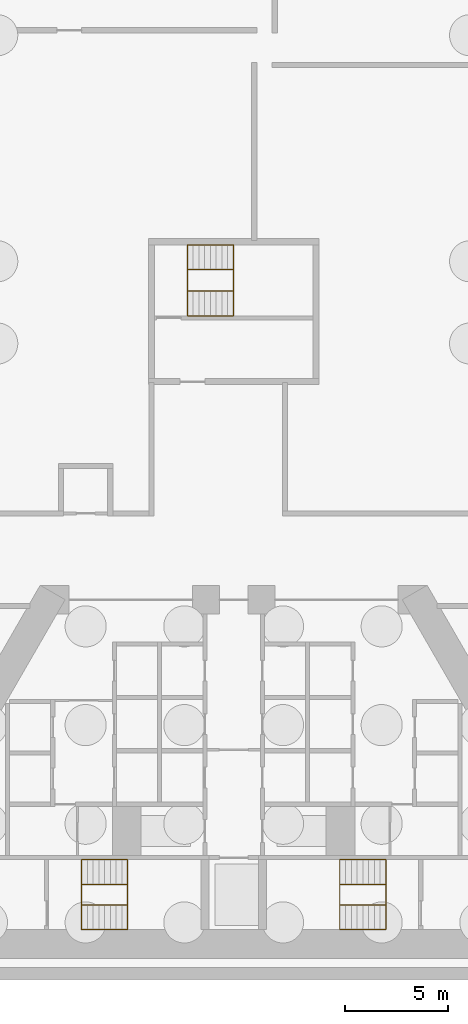
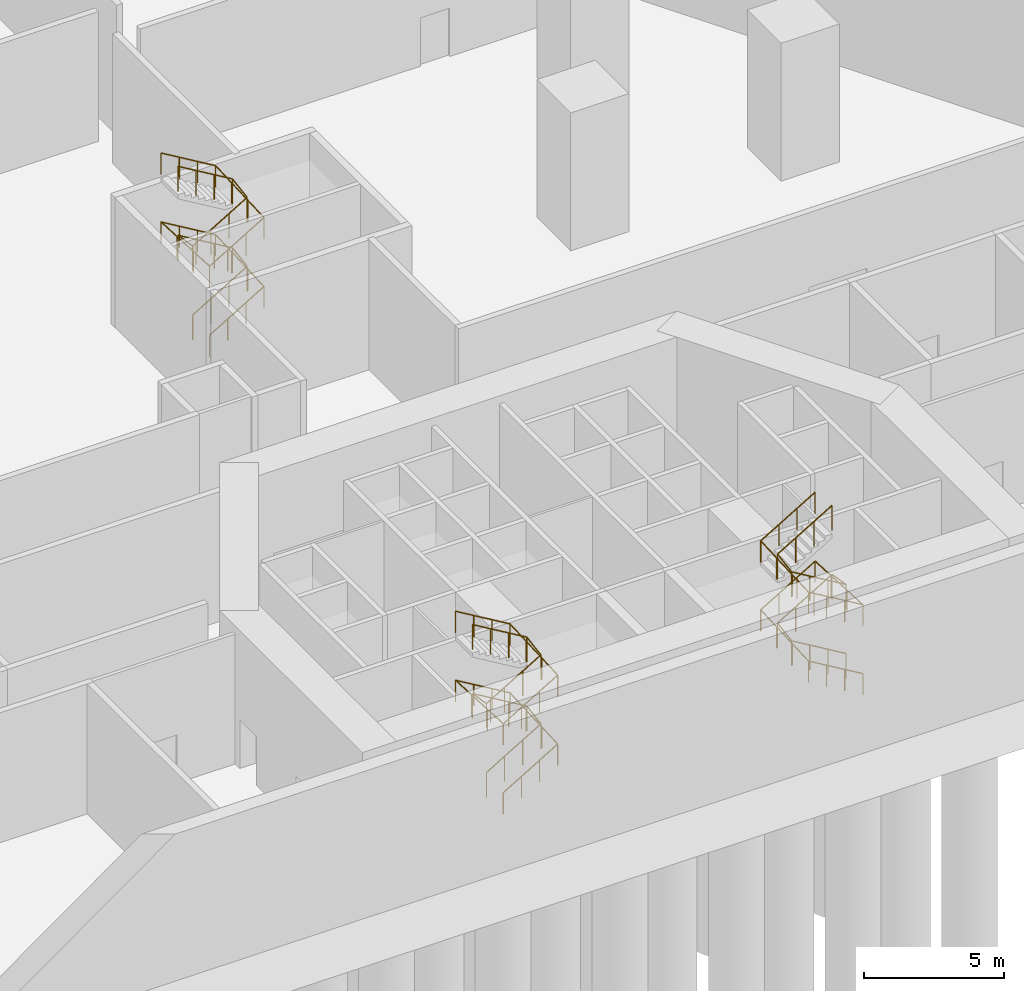
# One storey, part 7 of 8: 6 railings.
"""IFC4 building model written with IfcOpenShell, lengths in metres."""

from ifc_helpers import new_model, si_unit, direction, frame, origin, origin_2d, place, context, subcontext, project, spatial, circle, extrude, material, type_object, element, save


model = new_model("IFC4")

# Units and contexts
model_context = context("Model", 3, precision=1e-05, world=origin(), true_north=direction((0.0, 1.0)))
body_context = subcontext(model_context, "Body", "Model", "MODEL_VIEW")
ifc_project = project(units=[si_unit("LENGTHUNIT", "METRE"), si_unit("AREAUNIT", "SQUARE_METRE"), si_unit("VOLUMEUNIT", "CUBIC_METRE"), si_unit("PLANEANGLEUNIT", "RADIAN"), si_unit("MASSUNIT", "GRAM", prefix="KILO")], contexts=[model_context])

# Site, building, storey
site_placement = place(None, origin())
site = spatial("IfcSite", under=ifc_project, at=site_placement, CompositionType="ELEMENT")
building_placement = place(site_placement, origin())
building = spatial("IfcBuilding", under=site, at=building_placement, Name="Fogline Exchange Tower", CompositionType="ELEMENT")
storey_placement = place(building_placement, frame((0.0, 0.0, -14.0)))
storey = spatial("IfcBuildingStorey", under=building, at=storey_placement, Name="B2", CompositionType="ELEMENT", Elevation=-14.0)

# Railings
ifc_material = material(Name="Steel Q235B", Category="steel")
railing_type_1 = type_object("IfcRailingType", Name="RL-GD", PredefinedType="GUARDRAIL", material=ifc_material)
railing_1_placement = place(storey_placement, frame((-7.39990234375, 3.449951171875, 0.166748046875)))
element("IfcRailing", 1, at=railing_1_placement, inside=storey, type_object=railing_type_1, Name="Guard ST1", PredefinedType="GUARDRAIL", context=body_context, shape_type="SweptSolid", body=[
    extrude(circle(Radius=0.02392578125, at=origin_2d()), frame((0.0, 0.0, 1.076171875), z_axis=(0.859305625298, 0.0, 0.511462454469), x_axis=(0.0, 1.0, 0.0)), (0.0, 0.0, 1.0), 2.606689453125),
    extrude(circle(Radius=0.02392578125, at=origin_2d()), frame((2.239990234375, 0.0, 2.4091796875), z_axis=(0.0, 0.986380903678, 0.164477089163), x_axis=(-1.0, 0.0, 0.0)), (0.0, 0.0, 1.0), 1.013916015625),
    extrude(circle(Radius=0.02392578125, at=origin_2d()), frame((2.239990234375, 1.0, 2.576171875), z_axis=(-0.859305625298, 0.0, 0.511462454469), x_axis=(0.0, -1.0, 0.0)), (0.0, 0.0, 1.0), 2.606689453125),
    extrude(circle(Radius=0.02392578125, at=origin_2d()), frame((0.0, 1.0, 3.9091796875), z_axis=(0.0, -0.986380903678, 0.164477089163), x_axis=(1.0, 0.0, 0.0)), (0.0, 0.0, 1.0), 1.013916015625),
    extrude(circle(Radius=0.02392578125, at=origin_2d()), frame((0.0, 0.0, 4.076171875), z_axis=(0.859305625298, 0.0, 0.511462454469), x_axis=(0.0, 1.0, 0.0)), (0.0, 0.0, 1.0), 2.606689453125),
    extrude(circle(Radius=0.02392578125, at=origin_2d()), frame((2.239990234375, 0.0, 5.4091796875), z_axis=(0.0, 0.986380903678, 0.164477089163), x_axis=(-1.0, 0.0, 0.0)), (0.0, 0.0, 1.0), 1.013916015625),
    extrude(circle(Radius=0.02392578125, at=origin_2d()), frame((2.239990234375, 1.0, 5.576171875), z_axis=(-0.859305625298, 0.0, 0.511462454469), x_axis=(0.0, -1.0, 0.0)), (0.0, 0.0, 1.0), 2.606689453125),
    extrude(circle(Radius=0.02099609375, at=origin_2d()), origin(), (0.0, 0.0, 1.0), 1.052001953125),
    extrude(circle(Radius=0.02099609375, at=origin_2d()), frame((0.74658203125, 0.0, 0.4443359375)), (0.0, 0.0, 1.0), 1.052001953125),
    extrude(circle(Radius=0.02099609375, at=origin_2d()), frame((1.493408203125, 0.0, 0.888916015625)), (0.0, 0.0, 1.0), 1.052001953125),
    extrude(circle(Radius=0.02099609375, at=origin_2d()), frame((2.239990234375, 0.0, 1.333251953125)), (0.0, 0.0, 1.0), 1.052001953125),
    extrude(circle(Radius=0.02099609375, at=origin_2d()), frame((2.239990234375, 1.0, 1.5)), (0.0, 0.0, 1.0), 1.052001953125),
    extrude(circle(Radius=0.02099609375, at=origin_2d()), frame((1.493408203125, 1.0, 1.9443359375)), (0.0, 0.0, 1.0), 1.052001953125),
    extrude(circle(Radius=0.02099609375, at=origin_2d()), frame((0.74658203125, 1.0, 2.388916015625)), (0.0, 0.0, 1.0), 1.052001953125),
    extrude(circle(Radius=0.02099609375, at=origin_2d()), frame((0.0, 1.0, 2.833251953125)), (0.0, 0.0, 1.0), 1.052001953125),
    extrude(circle(Radius=0.02099609375, at=origin_2d()), frame((0.0, 0.0, 3.0)), (0.0, 0.0, 1.0), 1.052001953125),
    extrude(circle(Radius=0.02099609375, at=origin_2d()), frame((0.74658203125, 0.0, 3.4443359375)), (0.0, 0.0, 1.0), 1.052001953125),
    extrude(circle(Radius=0.02099609375, at=origin_2d()), frame((1.493408203125, 0.0, 3.888916015625)), (0.0, 0.0, 1.0), 1.052001953125),
    extrude(circle(Radius=0.02099609375, at=origin_2d()), frame((2.239990234375, 0.0, 4.333251953125)), (0.0, 0.0, 1.0), 1.052001953125),
    extrude(circle(Radius=0.02099609375, at=origin_2d()), frame((2.239990234375, 1.0, 4.5)), (0.0, 0.0, 1.0), 1.052001953125),
    extrude(circle(Radius=0.02099609375, at=origin_2d()), frame((1.493408203125, 1.0, 4.9443359375)), (0.0, 0.0, 1.0), 1.052001953125),
    extrude(circle(Radius=0.02099609375, at=origin_2d()), frame((0.74658203125, 1.0, 5.388916015625)), (0.0, 0.0, 1.0), 1.052001953125),
    extrude(circle(Radius=0.02099609375, at=origin_2d()), frame((0.0, 1.0, 5.833251953125)), (0.0, 0.0, 1.0), 1.052001953125),
])
railing_2_placement = place(storey_placement, frame((7.39990234375, 3.449951171875, 0.166748046875)))
element("IfcRailing", 2, at=railing_2_placement, inside=storey, type_object=railing_type_1, Name="Guard ST2", PredefinedType="GUARDRAIL", context=body_context, shape_type="SweptSolid", body=[
    extrude(circle(Radius=0.02392578125, at=origin_2d()), frame((0.0, 0.0, 1.076171875), z_axis=(-0.859305625298, 0.0, 0.511462454469), x_axis=(0.0, -1.0, 0.0)), (0.0, 0.0, 1.0), 2.606689453125),
    extrude(circle(Radius=0.02392578125, at=origin_2d()), frame((-2.239990234375, 0.0, 2.4091796875), z_axis=(0.0, 0.986380903678, 0.164477089163), x_axis=(-1.0, 0.0, 0.0)), (0.0, 0.0, 1.0), 1.013916015625),
    extrude(circle(Radius=0.02392578125, at=origin_2d()), frame((-2.239990234375, 1.0, 2.576171875), z_axis=(0.859305625298, 0.0, 0.511462454469), x_axis=(0.0, 1.0, 0.0)), (0.0, 0.0, 1.0), 2.606689453125),
    extrude(circle(Radius=0.02392578125, at=origin_2d()), frame((0.0, 1.0, 3.9091796875), z_axis=(0.0, -0.986380903678, 0.164477089163), x_axis=(1.0, 0.0, 0.0)), (0.0, 0.0, 1.0), 1.013916015625),
    extrude(circle(Radius=0.02392578125, at=origin_2d()), frame((0.0, 0.0, 4.076171875), z_axis=(-0.859305625298, 0.0, 0.511462454469), x_axis=(0.0, -1.0, 0.0)), (0.0, 0.0, 1.0), 2.606689453125),
    extrude(circle(Radius=0.02392578125, at=origin_2d()), frame((-2.239990234375, 0.0, 5.4091796875), z_axis=(0.0, 0.986380903678, 0.164477089163), x_axis=(-1.0, 0.0, 0.0)), (0.0, 0.0, 1.0), 1.013916015625),
    extrude(circle(Radius=0.02392578125, at=origin_2d()), frame((-2.239990234375, 1.0, 5.576171875), z_axis=(0.859305625298, 0.0, 0.511462454469), x_axis=(0.0, 1.0, 0.0)), (0.0, 0.0, 1.0), 2.606689453125),
    extrude(circle(Radius=0.02099609375, at=origin_2d()), origin(), (0.0, 0.0, 1.0), 1.052001953125),
    extrude(circle(Radius=0.02099609375, at=origin_2d()), frame((-0.74658203125, 0.0, 0.4443359375)), (0.0, 0.0, 1.0), 1.052001953125),
    extrude(circle(Radius=0.02099609375, at=origin_2d()), frame((-1.493408203125, 0.0, 0.888916015625)), (0.0, 0.0, 1.0), 1.052001953125),
    extrude(circle(Radius=0.02099609375, at=origin_2d()), frame((-2.239990234375, 0.0, 1.333251953125)), (0.0, 0.0, 1.0), 1.052001953125),
    extrude(circle(Radius=0.02099609375, at=origin_2d()), frame((-2.239990234375, 1.0, 1.5)), (0.0, 0.0, 1.0), 1.052001953125),
    extrude(circle(Radius=0.02099609375, at=origin_2d()), frame((-1.493408203125, 1.0, 1.9443359375)), (0.0, 0.0, 1.0), 1.052001953125),
    extrude(circle(Radius=0.02099609375, at=origin_2d()), frame((-0.74658203125, 1.0, 2.388916015625)), (0.0, 0.0, 1.0), 1.052001953125),
    extrude(circle(Radius=0.02099609375, at=origin_2d()), frame((0.0, 1.0, 2.833251953125)), (0.0, 0.0, 1.0), 1.052001953125),
    extrude(circle(Radius=0.02099609375, at=origin_2d()), frame((0.0, 0.0, 3.0)), (0.0, 0.0, 1.0), 1.052001953125),
    extrude(circle(Radius=0.02099609375, at=origin_2d()), frame((-0.74658203125, 0.0, 3.4443359375)), (0.0, 0.0, 1.0), 1.052001953125),
    extrude(circle(Radius=0.02099609375, at=origin_2d()), frame((-1.493408203125, 0.0, 3.888916015625)), (0.0, 0.0, 1.0), 1.052001953125),
    extrude(circle(Radius=0.02099609375, at=origin_2d()), frame((-2.239990234375, 0.0, 4.333251953125)), (0.0, 0.0, 1.0), 1.052001953125),
    extrude(circle(Radius=0.02099609375, at=origin_2d()), frame((-2.239990234375, 1.0, 4.5)), (0.0, 0.0, 1.0), 1.052001953125),
    extrude(circle(Radius=0.02099609375, at=origin_2d()), frame((-1.493408203125, 1.0, 4.9443359375)), (0.0, 0.0, 1.0), 1.052001953125),
    extrude(circle(Radius=0.02099609375, at=origin_2d()), frame((-0.74658203125, 1.0, 5.388916015625)), (0.0, 0.0, 1.0), 1.052001953125),
    extrude(circle(Radius=0.02099609375, at=origin_2d()), frame((0.0, 1.0, 5.833251953125)), (0.0, 0.0, 1.0), 1.052001953125),
])
railing_3_placement = place(storey_placement, frame((-2.25, 33.306884765625, 0.166748046875)))
element("IfcRailing", 3, at=railing_3_placement, inside=storey, type_object=railing_type_1, Name="Guard ST3", PredefinedType="GUARDRAIL", context=body_context, shape_type="SweptSolid", body=[
    extrude(circle(Radius=0.02392578125, at=origin_2d()), frame((0.0, 0.0, 1.076171875), z_axis=(0.859305625298, 0.0, 0.511462454469), x_axis=(0.0, 1.0, 0.0)), (0.0, 0.0, 1.0), 2.606689453125),
    extrude(circle(Radius=0.02392578125, at=origin_2d()), frame((2.239990234375, 0.0, 2.4091796875), z_axis=(0.0, 0.987624803842, 0.156835094402), x_axis=(-1.0, 0.0, 0.0)), (0.0, 0.0, 1.0), 1.063232421875),
    extrude(circle(Radius=0.02392578125, at=origin_2d()), frame((2.239990234375, 1.050048828125, 2.576171875), z_axis=(-0.859305625298, 0.0, 0.511462454469), x_axis=(0.0, -1.0, 0.0)), (0.0, 0.0, 1.0), 2.606689453125),
    extrude(circle(Radius=0.02392578125, at=origin_2d()), frame((0.0, 1.050048828125, 3.9091796875), z_axis=(0.0, -0.987624803842, 0.156835094402), x_axis=(1.0, 0.0, 0.0)), (0.0, 0.0, 1.0), 1.063232421875),
    extrude(circle(Radius=0.02392578125, at=origin_2d()), frame((0.0, 0.0, 4.076171875), z_axis=(0.859305625298, 0.0, 0.511462454469), x_axis=(0.0, 1.0, 0.0)), (0.0, 0.0, 1.0), 2.606689453125),
    extrude(circle(Radius=0.02392578125, at=origin_2d()), frame((2.239990234375, 0.0, 5.4091796875), z_axis=(0.0, 0.987624803842, 0.156835094402), x_axis=(-1.0, 0.0, 0.0)), (0.0, 0.0, 1.0), 1.063232421875),
    extrude(circle(Radius=0.02392578125, at=origin_2d()), frame((2.239990234375, 1.050048828125, 5.576171875), z_axis=(-0.859305625298, 0.0, 0.511462454469), x_axis=(0.0, -1.0, 0.0)), (0.0, 0.0, 1.0), 2.606689453125),
    extrude(circle(Radius=0.02099609375, at=origin_2d()), origin(), (0.0, 0.0, 1.0), 1.052001953125),
    extrude(circle(Radius=0.02099609375, at=origin_2d()), frame((0.74658203125, 0.0, 0.4443359375)), (0.0, 0.0, 1.0), 1.052001953125),
    extrude(circle(Radius=0.02099609375, at=origin_2d()), frame((1.493408203125, 0.0, 0.888916015625)), (0.0, 0.0, 1.0), 1.052001953125),
    extrude(circle(Radius=0.02099609375, at=origin_2d()), frame((2.239990234375, 0.0, 1.333251953125)), (0.0, 0.0, 1.0), 1.052001953125),
    extrude(circle(Radius=0.02099609375, at=origin_2d()), frame((2.239990234375, 1.050048828125, 1.5)), (0.0, 0.0, 1.0), 1.052001953125),
    extrude(circle(Radius=0.02099609375, at=origin_2d()), frame((1.493408203125, 1.050048828125, 1.9443359375)), (0.0, 0.0, 1.0), 1.052001953125),
    extrude(circle(Radius=0.02099609375, at=origin_2d()), frame((0.74658203125, 1.050048828125, 2.388916015625)), (0.0, 0.0, 1.0), 1.052001953125),
    extrude(circle(Radius=0.02099609375, at=origin_2d()), frame((0.0, 1.050048828125, 2.833251953125)), (0.0, 0.0, 1.0), 1.052001953125),
    extrude(circle(Radius=0.02099609375, at=origin_2d()), frame((0.0, 0.0, 3.0)), (0.0, 0.0, 1.0), 1.052001953125),
    extrude(circle(Radius=0.02099609375, at=origin_2d()), frame((0.74658203125, 0.0, 3.4443359375)), (0.0, 0.0, 1.0), 1.052001953125),
    extrude(circle(Radius=0.02099609375, at=origin_2d()), frame((1.493408203125, 0.0, 3.888916015625)), (0.0, 0.0, 1.0), 1.052001953125),
    extrude(circle(Radius=0.02099609375, at=origin_2d()), frame((2.239990234375, 0.0, 4.333251953125)), (0.0, 0.0, 1.0), 1.052001953125),
    extrude(circle(Radius=0.02099609375, at=origin_2d()), frame((2.239990234375, 1.050048828125, 4.5)), (0.0, 0.0, 1.0), 1.052001953125),
    extrude(circle(Radius=0.02099609375, at=origin_2d()), frame((1.493408203125, 1.050048828125, 4.9443359375)), (0.0, 0.0, 1.0), 1.052001953125),
    extrude(circle(Radius=0.02099609375, at=origin_2d()), frame((0.74658203125, 1.050048828125, 5.388916015625)), (0.0, 0.0, 1.0), 1.052001953125),
    extrude(circle(Radius=0.02099609375, at=origin_2d()), frame((0.0, 1.050048828125, 5.833251953125)), (0.0, 0.0, 1.0), 1.052001953125),
])
railing_type_2 = type_object("IfcRailingType", Name="RL-HR", PredefinedType="HANDRAIL", material=ifc_material)
railing_4_placement = place(storey_placement, frame((-7.39990234375, 2.25, 0.166748046875)))
element("IfcRailing", 4, at=railing_4_placement, inside=storey, type_object=railing_type_2, Name="Handrail ST1", PredefinedType="HANDRAIL", context=body_context, shape_type="SweptSolid", body=[
    extrude(circle(Radius=0.02392578125, at=origin_2d()), frame((0.0, 0.0, 0.92578125), z_axis=(0.859305625298, 0.0, 0.511462454469), x_axis=(0.0, 1.0, 0.0)), (0.0, 0.0, 1.0), 2.606689453125),
    extrude(circle(Radius=0.02392578125, at=origin_2d()), frame((2.239990234375, 0.0, 2.25927734375), z_axis=(0.0, 0.998799461751, 0.048986071548), x_axis=(-1.0, 0.0, 0.0)), (0.0, 0.0, 1.0), 3.404052734375),
    extrude(circle(Radius=0.02392578125, at=origin_2d()), frame((2.239990234375, 3.39990234375, 2.42578125), z_axis=(-0.859305625298, 0.0, 0.511462454469), x_axis=(0.0, -1.0, 0.0)), (0.0, 0.0, 1.0), 2.606689453125),
    extrude(circle(Radius=0.02392578125, at=origin_2d()), frame((0.0, 3.39990234375, 3.75927734375), z_axis=(0.0, -0.998799461751, 0.048986071548), x_axis=(1.0, 0.0, 0.0)), (0.0, 0.0, 1.0), 3.404052734375),
    extrude(circle(Radius=0.02392578125, at=origin_2d()), frame((0.0, 0.0, 3.92578125), z_axis=(0.859305625298, 0.0, 0.511462454469), x_axis=(0.0, 1.0, 0.0)), (0.0, 0.0, 1.0), 2.606689453125),
    extrude(circle(Radius=0.02392578125, at=origin_2d()), frame((2.239990234375, 0.0, 5.25927734375), z_axis=(0.0, 0.998799461751, 0.048986071548), x_axis=(-1.0, 0.0, 0.0)), (0.0, 0.0, 1.0), 3.404052734375),
    extrude(circle(Radius=0.02392578125, at=origin_2d()), frame((2.239990234375, 3.39990234375, 5.42578125), z_axis=(-0.859305625298, 0.0, 0.511462454469), x_axis=(0.0, -1.0, 0.0)), (0.0, 0.0, 1.0), 2.606689453125),
    extrude(circle(Radius=0.02099609375, at=origin_2d()), origin(), (0.0, 0.0, 1.0), 0.90185546875),
    extrude(circle(Radius=0.02099609375, at=origin_2d()), frame((0.74658203125, 0.0, 0.4443359375)), (0.0, 0.0, 1.0), 0.90185546875),
    extrude(circle(Radius=0.02099609375, at=origin_2d()), frame((1.493408203125, 0.0, 0.888916015625)), (0.0, 0.0, 1.0), 0.90185546875),
    extrude(circle(Radius=0.02099609375, at=origin_2d()), frame((2.239990234375, 0.0, 1.333251953125)), (0.0, 0.0, 1.0), 0.90185546875),
    extrude(circle(Radius=0.02099609375, at=origin_2d()), frame((2.239990234375, 1.13330078125, 1.388916015625)), (0.0, 0.0, 1.0), 0.90185546875),
    extrude(circle(Radius=0.02099609375, at=origin_2d()), frame((2.239990234375, 2.2666015625, 1.4443359375)), (0.0, 0.0, 1.0), 0.90185546875),
    extrude(circle(Radius=0.02099609375, at=origin_2d()), frame((2.239990234375, 3.39990234375, 1.5)), (0.0, 0.0, 1.0), 0.90185546875),
    extrude(circle(Radius=0.02099609375, at=origin_2d()), frame((1.493408203125, 3.39990234375, 1.9443359375)), (0.0, 0.0, 1.0), 0.90185546875),
    extrude(circle(Radius=0.02099609375, at=origin_2d()), frame((0.74658203125, 3.39990234375, 2.388916015625)), (0.0, 0.0, 1.0), 0.90185546875),
    extrude(circle(Radius=0.02099609375, at=origin_2d()), frame((0.0, 3.39990234375, 2.833251953125)), (0.0, 0.0, 1.0), 0.90185546875),
    extrude(circle(Radius=0.02099609375, at=origin_2d()), frame((0.0, 2.2666015625, 2.888916015625)), (0.0, 0.0, 1.0), 0.90185546875),
    extrude(circle(Radius=0.02099609375, at=origin_2d()), frame((0.0, 1.13330078125, 2.9443359375)), (0.0, 0.0, 1.0), 0.90185546875),
    extrude(circle(Radius=0.02099609375, at=origin_2d()), frame((0.0, 0.0, 3.0)), (0.0, 0.0, 1.0), 0.90185546875),
    extrude(circle(Radius=0.02099609375, at=origin_2d()), frame((0.74658203125, 0.0, 3.4443359375)), (0.0, 0.0, 1.0), 0.90185546875),
    extrude(circle(Radius=0.02099609375, at=origin_2d()), frame((1.493408203125, 0.0, 3.888916015625)), (0.0, 0.0, 1.0), 0.90185546875),
    extrude(circle(Radius=0.02099609375, at=origin_2d()), frame((2.239990234375, 0.0, 4.333251953125)), (0.0, 0.0, 1.0), 0.90185546875),
    extrude(circle(Radius=0.02099609375, at=origin_2d()), frame((2.239990234375, 1.13330078125, 4.388916015625)), (0.0, 0.0, 1.0), 0.90185546875),
    extrude(circle(Radius=0.02099609375, at=origin_2d()), frame((2.239990234375, 2.2666015625, 4.4443359375)), (0.0, 0.0, 1.0), 0.90185546875),
    extrude(circle(Radius=0.02099609375, at=origin_2d()), frame((2.239990234375, 3.39990234375, 4.5)), (0.0, 0.0, 1.0), 0.90185546875),
    extrude(circle(Radius=0.02099609375, at=origin_2d()), frame((1.493408203125, 3.39990234375, 4.9443359375)), (0.0, 0.0, 1.0), 0.90185546875),
    extrude(circle(Radius=0.02099609375, at=origin_2d()), frame((0.74658203125, 3.39990234375, 5.388916015625)), (0.0, 0.0, 1.0), 0.90185546875),
    extrude(circle(Radius=0.02099609375, at=origin_2d()), frame((0.0, 3.39990234375, 5.833251953125)), (0.0, 0.0, 1.0), 0.90185546875),
])
railing_5_placement = place(storey_placement, frame((7.39990234375, 2.25, 0.166748046875)))
element("IfcRailing", 5, at=railing_5_placement, inside=storey, type_object=railing_type_2, Name="Handrail ST2", PredefinedType="HANDRAIL", context=body_context, shape_type="SweptSolid", body=[
    extrude(circle(Radius=0.02392578125, at=origin_2d()), frame((0.0, 0.0, 0.92578125), z_axis=(-0.859305625298, 0.0, 0.511462454469), x_axis=(0.0, -1.0, 0.0)), (0.0, 0.0, 1.0), 2.606689453125),
    extrude(circle(Radius=0.02392578125, at=origin_2d()), frame((-2.239990234375, 0.0, 2.25927734375), z_axis=(0.0, 0.998799461751, 0.048986071548), x_axis=(-1.0, 0.0, 0.0)), (0.0, 0.0, 1.0), 3.404052734375),
    extrude(circle(Radius=0.02392578125, at=origin_2d()), frame((-2.239990234375, 3.39990234375, 2.42578125), z_axis=(0.859305625298, 0.0, 0.511462454469), x_axis=(0.0, 1.0, 0.0)), (0.0, 0.0, 1.0), 2.606689453125),
    extrude(circle(Radius=0.02392578125, at=origin_2d()), frame((0.0, 3.39990234375, 3.75927734375), z_axis=(0.0, -0.998799461751, 0.048986071548), x_axis=(1.0, 0.0, 0.0)), (0.0, 0.0, 1.0), 3.404052734375),
    extrude(circle(Radius=0.02392578125, at=origin_2d()), frame((0.0, 0.0, 3.92578125), z_axis=(-0.859305625298, 0.0, 0.511462454469), x_axis=(0.0, -1.0, 0.0)), (0.0, 0.0, 1.0), 2.606689453125),
    extrude(circle(Radius=0.02392578125, at=origin_2d()), frame((-2.239990234375, 0.0, 5.25927734375), z_axis=(0.0, 0.998799461751, 0.048986071548), x_axis=(-1.0, 0.0, 0.0)), (0.0, 0.0, 1.0), 3.404052734375),
    extrude(circle(Radius=0.02392578125, at=origin_2d()), frame((-2.239990234375, 3.39990234375, 5.42578125), z_axis=(0.859305625298, 0.0, 0.511462454469), x_axis=(0.0, 1.0, 0.0)), (0.0, 0.0, 1.0), 2.606689453125),
    extrude(circle(Radius=0.02099609375, at=origin_2d()), origin(), (0.0, 0.0, 1.0), 0.90185546875),
    extrude(circle(Radius=0.02099609375, at=origin_2d()), frame((-0.74658203125, 0.0, 0.4443359375)), (0.0, 0.0, 1.0), 0.90185546875),
    extrude(circle(Radius=0.02099609375, at=origin_2d()), frame((-1.493408203125, 0.0, 0.888916015625)), (0.0, 0.0, 1.0), 0.90185546875),
    extrude(circle(Radius=0.02099609375, at=origin_2d()), frame((-2.239990234375, 0.0, 1.333251953125)), (0.0, 0.0, 1.0), 0.90185546875),
    extrude(circle(Radius=0.02099609375, at=origin_2d()), frame((-2.239990234375, 1.13330078125, 1.388916015625)), (0.0, 0.0, 1.0), 0.90185546875),
    extrude(circle(Radius=0.02099609375, at=origin_2d()), frame((-2.239990234375, 2.2666015625, 1.4443359375)), (0.0, 0.0, 1.0), 0.90185546875),
    extrude(circle(Radius=0.02099609375, at=origin_2d()), frame((-2.239990234375, 3.39990234375, 1.5)), (0.0, 0.0, 1.0), 0.90185546875),
    extrude(circle(Radius=0.02099609375, at=origin_2d()), frame((-1.493408203125, 3.39990234375, 1.9443359375)), (0.0, 0.0, 1.0), 0.90185546875),
    extrude(circle(Radius=0.02099609375, at=origin_2d()), frame((-0.74658203125, 3.39990234375, 2.388916015625)), (0.0, 0.0, 1.0), 0.90185546875),
    extrude(circle(Radius=0.02099609375, at=origin_2d()), frame((0.0, 3.39990234375, 2.833251953125)), (0.0, 0.0, 1.0), 0.90185546875),
    extrude(circle(Radius=0.02099609375, at=origin_2d()), frame((0.0, 2.2666015625, 2.888916015625)), (0.0, 0.0, 1.0), 0.90185546875),
    extrude(circle(Radius=0.02099609375, at=origin_2d()), frame((0.0, 1.13330078125, 2.9443359375)), (0.0, 0.0, 1.0), 0.90185546875),
    extrude(circle(Radius=0.02099609375, at=origin_2d()), frame((0.0, 0.0, 3.0)), (0.0, 0.0, 1.0), 0.90185546875),
    extrude(circle(Radius=0.02099609375, at=origin_2d()), frame((-0.74658203125, 0.0, 3.4443359375)), (0.0, 0.0, 1.0), 0.90185546875),
    extrude(circle(Radius=0.02099609375, at=origin_2d()), frame((-1.493408203125, 0.0, 3.888916015625)), (0.0, 0.0, 1.0), 0.90185546875),
    extrude(circle(Radius=0.02099609375, at=origin_2d()), frame((-2.239990234375, 0.0, 4.333251953125)), (0.0, 0.0, 1.0), 0.90185546875),
    extrude(circle(Radius=0.02099609375, at=origin_2d()), frame((-2.239990234375, 1.13330078125, 4.388916015625)), (0.0, 0.0, 1.0), 0.90185546875),
    extrude(circle(Radius=0.02099609375, at=origin_2d()), frame((-2.239990234375, 2.2666015625, 4.4443359375)), (0.0, 0.0, 1.0), 0.90185546875),
    extrude(circle(Radius=0.02099609375, at=origin_2d()), frame((-2.239990234375, 3.39990234375, 4.5)), (0.0, 0.0, 1.0), 0.90185546875),
    extrude(circle(Radius=0.02099609375, at=origin_2d()), frame((-1.493408203125, 3.39990234375, 4.9443359375)), (0.0, 0.0, 1.0), 0.90185546875),
    extrude(circle(Radius=0.02099609375, at=origin_2d()), frame((-0.74658203125, 3.39990234375, 5.388916015625)), (0.0, 0.0, 1.0), 0.90185546875),
    extrude(circle(Radius=0.02099609375, at=origin_2d()), frame((0.0, 3.39990234375, 5.833251953125)), (0.0, 0.0, 1.0), 0.90185546875),
])
railing_6_placement = place(storey_placement, frame((-2.25, 32.10693359375, 0.166748046875)))
element("IfcRailing", 6, at=railing_6_placement, inside=storey, type_object=railing_type_2, Name="Handrail ST3", PredefinedType="HANDRAIL", context=body_context, shape_type="SweptSolid", body=[
    extrude(circle(Radius=0.02392578125, at=origin_2d()), frame((0.0, 0.0, 0.92578125), z_axis=(0.859305625298, 0.0, 0.511462454469), x_axis=(0.0, 1.0, 0.0)), (0.0, 0.0, 1.0), 2.606689453125),
    extrude(circle(Radius=0.02392578125, at=origin_2d()), frame((2.239990234375, 0.0, 2.25927734375), z_axis=(0.0, 0.998833981318, 0.04827709357), x_axis=(-1.0, 0.0, 0.0)), (0.0, 0.0, 1.0), 3.453857421875),
    extrude(circle(Radius=0.02392578125, at=origin_2d()), frame((2.239990234375, 3.449951171875, 2.42578125), z_axis=(-0.859305625298, 0.0, 0.511462454469), x_axis=(0.0, -1.0, 0.0)), (0.0, 0.0, 1.0), 2.606689453125),
    extrude(circle(Radius=0.02392578125, at=origin_2d()), frame((0.0, 3.449951171875, 3.75927734375), z_axis=(0.0, -0.998833981318, 0.04827709357), x_axis=(1.0, 0.0, 0.0)), (0.0, 0.0, 1.0), 3.453857421875),
    extrude(circle(Radius=0.02392578125, at=origin_2d()), frame((0.0, 0.0, 3.92578125), z_axis=(0.859305625298, 0.0, 0.511462454469), x_axis=(0.0, 1.0, 0.0)), (0.0, 0.0, 1.0), 2.606689453125),
    extrude(circle(Radius=0.02392578125, at=origin_2d()), frame((2.239990234375, 0.0, 5.25927734375), z_axis=(0.0, 0.998833981318, 0.04827709357), x_axis=(-1.0, 0.0, 0.0)), (0.0, 0.0, 1.0), 3.453857421875),
    extrude(circle(Radius=0.02392578125, at=origin_2d()), frame((2.239990234375, 3.449951171875, 5.42578125), z_axis=(-0.859305625298, 0.0, 0.511462454469), x_axis=(0.0, -1.0, 0.0)), (0.0, 0.0, 1.0), 2.606689453125),
    extrude(circle(Radius=0.02099609375, at=origin_2d()), origin(), (0.0, 0.0, 1.0), 0.90185546875),
    extrude(circle(Radius=0.02099609375, at=origin_2d()), frame((0.74658203125, 0.0, 0.4443359375)), (0.0, 0.0, 1.0), 0.90185546875),
    extrude(circle(Radius=0.02099609375, at=origin_2d()), frame((1.493408203125, 0.0, 0.888916015625)), (0.0, 0.0, 1.0), 0.90185546875),
    extrude(circle(Radius=0.02099609375, at=origin_2d()), frame((2.239990234375, 0.0, 1.333251953125)), (0.0, 0.0, 1.0), 0.90185546875),
    extrude(circle(Radius=0.02099609375, at=origin_2d()), frame((2.239990234375, 1.14990234375, 1.388916015625)), (0.0, 0.0, 1.0), 0.90185546875),
    extrude(circle(Radius=0.02099609375, at=origin_2d()), frame((2.239990234375, 2.300048828125, 1.4443359375)), (0.0, 0.0, 1.0), 0.90185546875),
    extrude(circle(Radius=0.02099609375, at=origin_2d()), frame((2.239990234375, 3.449951171875, 1.5)), (0.0, 0.0, 1.0), 0.90185546875),
    extrude(circle(Radius=0.02099609375, at=origin_2d()), frame((1.493408203125, 3.449951171875, 1.9443359375)), (0.0, 0.0, 1.0), 0.90185546875),
    extrude(circle(Radius=0.02099609375, at=origin_2d()), frame((0.74658203125, 3.449951171875, 2.388916015625)), (0.0, 0.0, 1.0), 0.90185546875),
    extrude(circle(Radius=0.02099609375, at=origin_2d()), frame((0.0, 3.449951171875, 2.833251953125)), (0.0, 0.0, 1.0), 0.90185546875),
    extrude(circle(Radius=0.02099609375, at=origin_2d()), frame((0.0, 2.300048828125, 2.888916015625)), (0.0, 0.0, 1.0), 0.90185546875),
    extrude(circle(Radius=0.02099609375, at=origin_2d()), frame((0.0, 1.14990234375, 2.9443359375)), (0.0, 0.0, 1.0), 0.90185546875),
    extrude(circle(Radius=0.02099609375, at=origin_2d()), frame((0.0, 0.0, 3.0)), (0.0, 0.0, 1.0), 0.90185546875),
    extrude(circle(Radius=0.02099609375, at=origin_2d()), frame((0.74658203125, 0.0, 3.4443359375)), (0.0, 0.0, 1.0), 0.90185546875),
    extrude(circle(Radius=0.02099609375, at=origin_2d()), frame((1.493408203125, 0.0, 3.888916015625)), (0.0, 0.0, 1.0), 0.90185546875),
    extrude(circle(Radius=0.02099609375, at=origin_2d()), frame((2.239990234375, 0.0, 4.333251953125)), (0.0, 0.0, 1.0), 0.90185546875),
    extrude(circle(Radius=0.02099609375, at=origin_2d()), frame((2.239990234375, 1.14990234375, 4.388916015625)), (0.0, 0.0, 1.0), 0.90185546875),
    extrude(circle(Radius=0.02099609375, at=origin_2d()), frame((2.239990234375, 2.300048828125, 4.4443359375)), (0.0, 0.0, 1.0), 0.90185546875),
    extrude(circle(Radius=0.02099609375, at=origin_2d()), frame((2.239990234375, 3.449951171875, 4.5)), (0.0, 0.0, 1.0), 0.90185546875),
    extrude(circle(Radius=0.02099609375, at=origin_2d()), frame((1.493408203125, 3.449951171875, 4.9443359375)), (0.0, 0.0, 1.0), 0.90185546875),
    extrude(circle(Radius=0.02099609375, at=origin_2d()), frame((0.74658203125, 3.449951171875, 5.388916015625)), (0.0, 0.0, 1.0), 0.90185546875),
    extrude(circle(Radius=0.02099609375, at=origin_2d()), frame((0.0, 3.449951171875, 5.833251953125)), (0.0, 0.0, 1.0), 0.90185546875),
])

save(model, "model.ifc")
